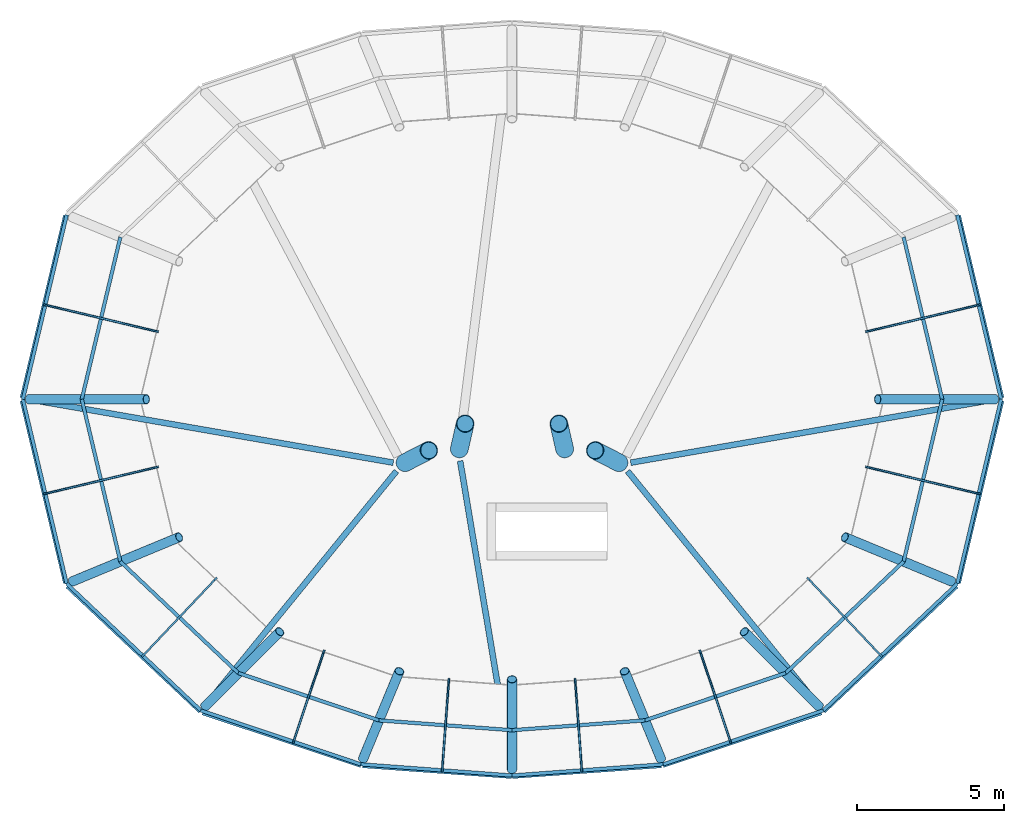
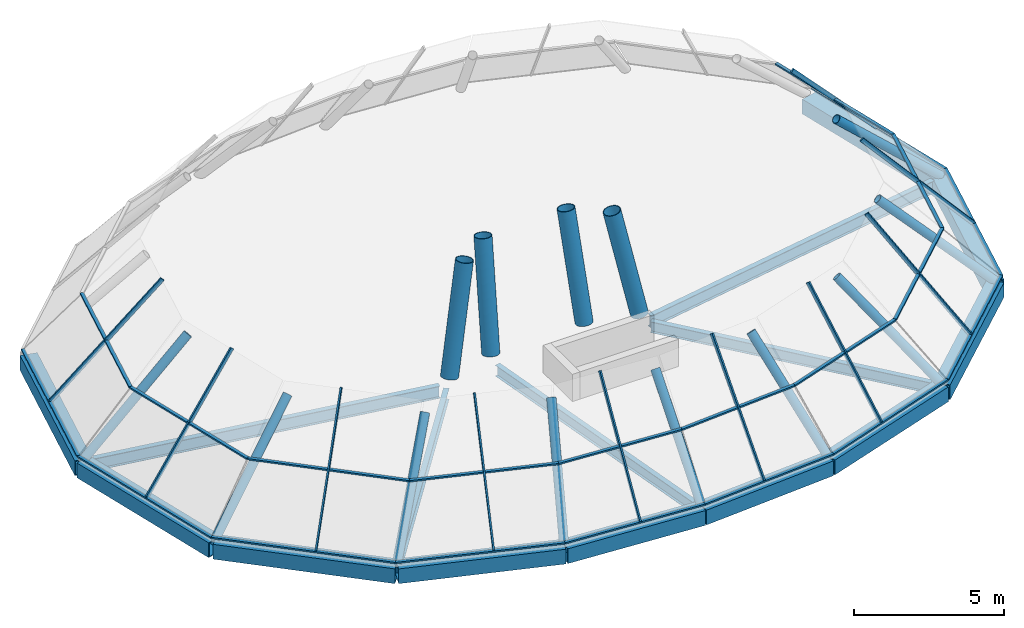
# One storey, part 1 of 4: 43 members, 15 beams, 10 elements without a shape of their own.
"""IFC4 building model written with IfcOpenShell, lengths in metres."""

from ifc_helpers import new_model, si_unit, direction, frame, origin, origin_2d, place, context, subcontext, project, spatial, rectangle, hollow_rectangle, hollow_circle, i_section, extrude, material, material_profile, profile_set, type_object, element, aggregate, save


model = new_model("IFC4")

# Units and contexts
model_context = context("Model", 3, precision=1e-05, world=origin(), true_north=direction((0.0, 1.0)))
body_context = subcontext(model_context, "Body", "Model", "MODEL_VIEW")
ifc_project = project(units=[si_unit("LENGTHUNIT", "METRE"), si_unit("AREAUNIT", "SQUARE_METRE"), si_unit("VOLUMEUNIT", "CUBIC_METRE"), si_unit("PLANEANGLEUNIT", "RADIAN"), si_unit("MASSUNIT", "GRAM", prefix="KILO")], contexts=[model_context])

# Site, building, storey
site_placement = place(None, origin())
site = spatial("IfcSite", under=ifc_project, at=site_placement, CompositionType="ELEMENT")
building_placement = place(site_placement, origin())
building = spatial("IfcBuilding", under=site, at=building_placement, Name="Rubra Terraces Tower", CompositionType="ELEMENT")
storey_placement = place(building_placement, frame((0.0, 0.0, 324.60009765625)))
storey = spatial("IfcBuildingStorey", under=building, at=storey_placement, Name="L80", CompositionType="ELEMENT", Elevation=324.60009765625)

# Members
ifc_material_1 = material(Name="Steel Q355B", Category="steel")
ifc_material_profile_1 = material_profile(ifc_material_1, hollow_circle(Radius=0.16259765625, WallThickness=0.013916015625, at=origin_2d()), Name="CHS 325x14")
ifc_profile_set_1 = profile_set([ifc_material_profile_1], Name="Steel Q355B")
member_type_1 = type_object("IfcMemberType", Name="CROWN POST CHS 325x14", PredefinedType="POST", material=ifc_profile_set_1)
for number, where, z_axis, x_axis, name in (
    (1, (16.46240234375, 0.0, -0.2001953125), (-0.734926944173, 0.0, 0.678146287116), (0.0, -1.0, 0.0), "CROWN POST"),
    (2, (-16.46240234375, 0.0, -0.2001953125), (0.734926944173, 0.0, 0.678146287116), (0.0, 1.0, 0.0), "CROWN POST"),
):
    element("IfcMember", number, at=place(storey_placement, frame(where, z_axis=z_axis, x_axis=x_axis)), inside=storey, type_object=member_type_1, Name=name, PredefinedType="POST", context=body_context, shape_type="SweptSolid", body=[
        extrude(hollow_circle(Radius=0.16259765625, WallThickness=0.013916015625, at=origin_2d()), origin(), (0.0, 0.0, 1.0), 5.456298828125),
    ])
member_1_placement = place(storey_placement, frame((-14.985107421875, -6.207275390625, -0.2001953125), z_axis=(0.674397942908, 0.279292929011, 0.683507772015), x_axis=(-0.382622806555, 0.923904642214, 0.0)))
element("IfcMember", 3, at=member_1_placement, inside=storey, type_object=member_type_1, Name="CROWN POST", PredefinedType="POST", context=body_context, shape_type="SweptSolid", body=[
    extrude(hollow_circle(Radius=0.16259765625, WallThickness=0.013916015625, at=origin_2d()), origin(), (0.0, 0.0, 1.0), 5.41357421875),
])
member_2_placement = place(storey_placement, frame((-10.4619140625, -10.4619140625, -0.2001953125), z_axis=(0.493728488521, 0.493728488521, 0.715866160148), x_axis=(-0.707106781187, 0.707106781187, 0.0)))
element("IfcMember", 4, at=member_2_placement, inside=storey, type_object=member_type_1, Name="CROWN POST", PredefinedType="POST", context=body_context, shape_type="SweptSolid", body=[
    extrude(hollow_circle(Radius=0.16259765625, WallThickness=0.013916015625, at=origin_2d()), origin(), (0.0, 0.0, 1.0), 5.1689453125),
])
member_3_placement = place(storey_placement, frame((-5.075439453125, -12.252197265625, -0.2001953125), z_axis=(0.252126105765, 0.608597372845, 0.7523574048), x_axis=(-0.923859770062, 0.382731139653, 0.0)))
element("IfcMember", 5, at=member_3_placement, inside=storey, type_object=member_type_1, Name="CROWN POST", PredefinedType="POST", context=body_context, shape_type="SweptSolid", body=[
    extrude(hollow_circle(Radius=0.16259765625, WallThickness=0.013916015625, at=origin_2d()), origin(), (0.0, 0.0, 1.0), 4.918212890625),
])
member_4_placement = place(storey_placement, frame((0.0, -12.618408203125, -0.2001953125), z_axis=(0.0, 0.640244221829, 0.768171423847), x_axis=(-1.0, 0.0, 0.0)))
element("IfcMember", 6, at=member_4_placement, inside=storey, type_object=member_type_1, Name="CROWN POST", PredefinedType="POST", context=body_context, shape_type="SweptSolid", body=[
    extrude(hollow_circle(Radius=0.16259765625, WallThickness=0.013916015625, at=origin_2d()), origin(), (0.0, 0.0, 1.0), 4.81689453125),
])
member_5_placement = place(storey_placement, frame((5.075439453125, -12.252197265625, -0.2001953125), z_axis=(-0.252126105765, 0.608597372845, 0.7523574048), x_axis=(-0.923859770062, -0.382731139653, 0.0)))
element("IfcMember", 7, at=member_5_placement, inside=storey, type_object=member_type_1, Name="CROWN POST", PredefinedType="POST", context=body_context, shape_type="SweptSolid", body=[
    extrude(hollow_circle(Radius=0.16259765625, WallThickness=0.013916015625, at=origin_2d()), origin(), (0.0, 0.0, 1.0), 4.918212890625),
])
member_6_placement = place(storey_placement, frame((10.4619140625, -10.4619140625, -0.2001953125), z_axis=(-0.493728488521, 0.493728488521, 0.715866160148), x_axis=(-0.707106781187, -0.707106781187, 0.0)))
element("IfcMember", 8, at=member_6_placement, inside=storey, type_object=member_type_1, Name="CROWN POST", PredefinedType="POST", context=body_context, shape_type="SweptSolid", body=[
    extrude(hollow_circle(Radius=0.16259765625, WallThickness=0.013916015625, at=origin_2d()), origin(), (0.0, 0.0, 1.0), 5.1689453125),
])
member_7_placement = place(storey_placement, frame((14.985107421875, -6.207275390625, -0.2001953125), z_axis=(-0.674397942908, 0.279292929011, 0.683507772015), x_axis=(-0.382622806555, -0.923904642214, 0.0)))
element("IfcMember", 9, at=member_7_placement, inside=storey, type_object=member_type_1, Name="CROWN POST", PredefinedType="POST", context=body_context, shape_type="SweptSolid", body=[
    extrude(hollow_circle(Radius=0.16259765625, WallThickness=0.013916015625, at=origin_2d()), origin(), (0.0, 0.0, 1.0), 5.41357421875),
])

# Beams
ifc_material_profile_2 = material_profile(ifc_material_1, hollow_rectangle(XDim=0.60009765625, YDim=0.60009765625, WallThickness=0.030029296875, at=origin_2d()), Name="BOX 600x600x30")
ifc_profile_set_2 = profile_set([ifc_material_profile_2], Name="Steel Q355B")
beam_type_1 = type_object("IfcBeamType", Name="CROWN RING GIRDER BOX 600x600x30", PredefinedType="BEAM", material=ifc_profile_set_2)
for number, where, z_axis, x_axis, name in (
    (10, (16.462890625, 0.0, -0.5), (-0.231608457069, 0.972809088472, 0.0), (-0.972809088472, -0.231608457069, 0.0), "CROWN RING GIRDER"),
    (11, (-14.985107421875, 6.20703125, -0.5), (-0.231608457069, -0.972809088472, 0.0), (0.972809088472, -0.231608457069, 0.0), "CROWN RING GIRDER"),
    (12, (-16.462890625, 0.0, -0.5), (0.231608457069, -0.972809088472, 0.0), (0.972809088472, 0.231608457069, 0.0), "CROWN RING GIRDER"),
):
    element("IfcBeam", number, at=place(storey_placement, frame(where, z_axis=z_axis, x_axis=x_axis)), inside=storey, type_object=beam_type_1, Name=name, PredefinedType="BEAM", context=body_context, shape_type="SweptSolid", body=[
        extrude(hollow_rectangle(XDim=0.60009765625, YDim=0.60009765625, WallThickness=0.030029296875, at=origin_2d()), origin(), (0.0, 0.0, 1.0), 6.380615234375),
    ])
beam_1_placement = place(storey_placement, frame((-14.985107421875, -6.20703125, -0.5), z_axis=(0.728380020829, -0.685173368759, 0.0), x_axis=(0.685173368759, 0.728380020829, 0.0)))
element("IfcBeam", 13, at=beam_1_placement, inside=storey, type_object=beam_type_1, Name="CROWN RING GIRDER", PredefinedType="BEAM", context=body_context, shape_type="SweptSolid", body=[
    extrude(hollow_rectangle(XDim=0.60009765625, YDim=0.60009765625, WallThickness=0.030029296875, at=origin_2d()), origin(), (0.0, 0.0, 1.0), 6.2099609375),
])
beam_2_placement = place(storey_placement, frame((-10.4619140625, -10.4619140625, -0.5), z_axis=(0.948979638059, -0.315337353558, 0.0), x_axis=(0.315337353558, 0.948979638059, 0.0)))
element("IfcBeam", 14, at=beam_2_placement, inside=storey, type_object=beam_type_1, Name="CROWN RING GIRDER", PredefinedType="BEAM", context=body_context, shape_type="SweptSolid", body=[
    extrude(hollow_rectangle(XDim=0.60009765625, YDim=0.60009765625, WallThickness=0.030029296875, at=origin_2d()), origin(), (0.0, 0.0, 1.0), 5.676513671875),
])
for number, where, z_axis, x_axis, name in (
    (15, (-5.074951171875, -12.251953125, -0.5), (0.99740999949, -0.071925606833, 0.0), (0.071925606833, 0.99740999949, 0.0), "CROWN RING GIRDER"),
    (16, (0.0, -12.617919921875, -0.5), (0.99740999949, 0.071925606833, 0.0), (-0.071925606833, 0.99740999949, 0.0), "CROWN RING GIRDER"),
):
    element("IfcBeam", number, at=place(storey_placement, frame(where, z_axis=z_axis, x_axis=x_axis)), inside=storey, type_object=beam_type_1, Name=name, PredefinedType="BEAM", context=body_context, shape_type="SweptSolid", body=[
        extrude(hollow_rectangle(XDim=0.60009765625, YDim=0.60009765625, WallThickness=0.030029296875, at=origin_2d()), origin(), (0.0, 0.0, 1.0), 5.088134765625),
    ])
beam_3_placement = place(storey_placement, frame((5.074951171875, -12.251953125, -0.5), z_axis=(0.948979638059, 0.315337353558, 0.0), x_axis=(-0.315337353558, 0.948979638059, 0.0)))
element("IfcBeam", 17, at=beam_3_placement, inside=storey, type_object=beam_type_1, Name="CROWN RING GIRDER", PredefinedType="BEAM", context=body_context, shape_type="SweptSolid", body=[
    extrude(hollow_rectangle(XDim=0.60009765625, YDim=0.60009765625, WallThickness=0.030029296875, at=origin_2d()), origin(), (0.0, 0.0, 1.0), 5.676513671875),
])
beam_4_placement = place(storey_placement, frame((10.4619140625, -10.4619140625, -0.5), z_axis=(0.728380020829, 0.685173368759, 0.0), x_axis=(-0.685173368759, 0.728380020829, 0.0)))
element("IfcBeam", 18, at=beam_4_placement, inside=storey, type_object=beam_type_1, Name="CROWN RING GIRDER", PredefinedType="BEAM", context=body_context, shape_type="SweptSolid", body=[
    extrude(hollow_rectangle(XDim=0.60009765625, YDim=0.60009765625, WallThickness=0.030029296875, at=origin_2d()), origin(), (0.0, 0.0, 1.0), 6.2099609375),
])
beam_5_placement = place(storey_placement, frame((14.985107421875, -6.20703125, -0.5), z_axis=(0.231608457069, 0.972809088472, 0.0), x_axis=(-0.972809088472, 0.231608457069, 0.0)))
element("IfcBeam", 19, at=beam_5_placement, inside=storey, type_object=beam_type_1, Name="CROWN RING GIRDER", PredefinedType="BEAM", context=body_context, shape_type="SweptSolid", body=[
    extrude(hollow_rectangle(XDim=0.60009765625, YDim=0.60009765625, WallThickness=0.030029296875, at=origin_2d()), origin(), (0.0, 0.0, 1.0), 6.380615234375),
])

# Curtain wall, member
ifc_material_2 = material(Name="Aluminium and glass", Category="aluminium")
curtain_wall_type = type_object("IfcCurtainWallType", Name="Curtain wall Crown glazing", PredefinedType="NOTDEFINED", material=ifc_material_2)
curtain_wall_1_placement = place(storey_placement, origin())
curtain_wall_1 = element("IfcCurtainWall", 20, at=curtain_wall_1_placement, inside=storey, type_object=curtain_wall_type, Name="Crown glazing L80 facet 1", PredefinedType="NOTDEFINED")
ifc_material_3 = material(Name="Aluminium, anodised dark grey", Category="aluminium")
ifc_material_profile_3 = material_profile(ifc_material_3, rectangle(XDim=0.06005859375, YDim=0.159912109375, at=origin_2d()), Name="AL 60x160")
ifc_profile_set_3 = profile_set([ifc_material_profile_3], Name="Aluminium, anodised dark grey")
member_type_2 = type_object("IfcMemberType", Name="Crown glazing mullion 60 x 160", PredefinedType="MULLION", material=ifc_profile_set_3)
member_8_placement = place(storey_placement, frame((15.8916015625, 3.21337890625, 0.0), z_axis=(-0.662173755856, -0.157281173165, 0.732658549137), x_axis=(0.231093162919, -0.972931626607, 0.0)))
member_8 = element("IfcMember", 21, at=member_8_placement, type_object=member_type_2, Name="Crown glazing L80 facet 1 mullion 1", PredefinedType="MULLION", context=body_context, shape_type="SweptSolid", body=[
    extrude(rectangle(XDim=0.06005859375, YDim=0.159912109375, at=origin_2d()), origin(), (0.0, 0.0, 1.0), 5.732421875),
])

curtain_wall_2_placement = place(storey_placement, origin())
curtain_wall_2 = element("IfcCurtainWall", 22, at=curtain_wall_2_placement, inside=storey, type_object=curtain_wall_type, Name="Crown glazing L80 facet 8", PredefinedType="NOTDEFINED")
member_9_placement = place(storey_placement, frame((-15.8916015625, 3.21337890625, 0.0), z_axis=(0.662173755856, -0.157281173165, 0.732658549137), x_axis=(0.231093162919, 0.972931626607, 0.0)))
member_9 = element("IfcMember", 23, at=member_9_placement, type_object=member_type_2, Name="Crown glazing L80 facet 8 mullion 1", PredefinedType="MULLION", context=body_context, shape_type="SweptSolid", body=[
    extrude(rectangle(XDim=0.06005859375, YDim=0.159912109375, at=origin_2d()), origin(), (0.0, 0.0, 1.0), 5.732421875),
])

curtain_wall_3_placement = place(storey_placement, origin())
curtain_wall_3 = element("IfcCurtainWall", 24, at=curtain_wall_3_placement, inside=storey, type_object=curtain_wall_type, Name="Crown glazing L80 facet 9", PredefinedType="NOTDEFINED")
member_10_placement = place(storey_placement, frame((-15.8916015625, -3.21337890625, 0.0), z_axis=(0.662173755856, 0.157281173165, 0.732658549137), x_axis=(-0.231093162919, 0.972931626607, 0.0)))
member_10 = element("IfcMember", 25, at=member_10_placement, type_object=member_type_2, Name="Crown glazing L80 facet 9 mullion 1", PredefinedType="MULLION", context=body_context, shape_type="SweptSolid", body=[
    extrude(rectangle(XDim=0.06005859375, YDim=0.159912109375, at=origin_2d()), origin(), (0.0, 0.0, 1.0), 5.732421875),
])

curtain_wall_4_placement = place(storey_placement, origin())
curtain_wall_4 = element("IfcCurtainWall", 26, at=curtain_wall_4_placement, inside=storey, type_object=curtain_wall_type, Name="Crown glazing L80 facet 10", PredefinedType="NOTDEFINED")
member_11_placement = place(storey_placement, frame((-12.569091796875, -8.73388671875, 0.0), z_axis=(0.447713431998, 0.473377690584, 0.758594914869), x_axis=(-0.726526856678, 0.687138069478, 0.0)))
member_11 = element("IfcMember", 27, at=member_11_placement, type_object=member_type_2, Name="Crown glazing L80 facet 10 mullion 1", PredefinedType="MULLION", context=body_context, shape_type="SweptSolid", body=[
    extrude(rectangle(XDim=0.06005859375, YDim=0.159912109375, at=origin_2d()), origin(), (0.0, 0.0, 1.0), 5.536376953125),
])

curtain_wall_5_placement = place(storey_placement, origin())
curtain_wall_5 = element("IfcCurtainWall", 28, at=curtain_wall_5_placement, inside=storey, type_object=curtain_wall_type, Name="Crown glazing L80 facet 11", PredefinedType="NOTDEFINED")
member_12_placement = place(storey_placement, frame((-7.4404296875, -11.65966796875, 0.0), z_axis=(0.194355754949, 0.578092052347, 0.79248685764), x_axis=(-0.947864384433, 0.318673985013, 0.0)))
member_12 = element("IfcMember", 29, at=member_12_placement, type_object=member_type_2, Name="Crown glazing L80 facet 11 mullion 1", PredefinedType="MULLION", context=body_context, shape_type="SweptSolid", body=[
    extrude(rectangle(XDim=0.06005859375, YDim=0.159912109375, at=origin_2d()), origin(), (0.0, 0.0, 1.0), 5.2998046875),
])

curtain_wall_6_placement = place(storey_placement, origin())
curtain_wall_6 = element("IfcCurtainWall", 30, at=curtain_wall_6_placement, inside=storey, type_object=curtain_wall_type, Name="Crown glazing L80 facet 12", PredefinedType="NOTDEFINED")
member_13_placement = place(storey_placement, frame((-2.3779296875, -12.635009765625, 0.0), z_axis=(0.043614060364, 0.589258783311, 0.806766323064), x_axis=(-0.997272083932, 0.07381321433, 0.0)))
member_13 = element("IfcMember", 31, at=member_13_placement, type_object=member_type_2, Name="Crown glazing L80 facet 12 mullion 1", PredefinedType="MULLION", context=body_context, shape_type="SweptSolid", body=[
    extrude(rectangle(XDim=0.06005859375, YDim=0.159912109375, at=origin_2d()), origin(), (0.0, 0.0, 1.0), 5.205810546875),
])

curtain_wall_7_placement = place(storey_placement, origin())
curtain_wall_7 = element("IfcCurtainWall", 32, at=curtain_wall_7_placement, inside=storey, type_object=curtain_wall_type, Name="Crown glazing L80 facet 13", PredefinedType="NOTDEFINED")
member_14_placement = place(storey_placement, frame((2.3779296875, -12.635009765625, 0.0), z_axis=(-0.043614060364, 0.589258783311, 0.806766323064), x_axis=(-0.997272083932, -0.07381321433, 0.0)))
member_14 = element("IfcMember", 33, at=member_14_placement, type_object=member_type_2, Name="Crown glazing L80 facet 13 mullion 1", PredefinedType="MULLION", context=body_context, shape_type="SweptSolid", body=[
    extrude(rectangle(XDim=0.06005859375, YDim=0.159912109375, at=origin_2d()), origin(), (0.0, 0.0, 1.0), 5.205810546875),
])

curtain_wall_8_placement = place(storey_placement, origin())
curtain_wall_8 = element("IfcCurtainWall", 34, at=curtain_wall_8_placement, inside=storey, type_object=curtain_wall_type, Name="Crown glazing L80 facet 14", PredefinedType="NOTDEFINED")
member_15_placement = place(storey_placement, frame((7.4404296875, -11.65966796875, 0.0), z_axis=(-0.194355754949, 0.578092052347, 0.79248685764), x_axis=(-0.947864384433, -0.318673985013, 0.0)))
member_15 = element("IfcMember", 35, at=member_15_placement, type_object=member_type_2, Name="Crown glazing L80 facet 14 mullion 1", PredefinedType="MULLION", context=body_context, shape_type="SweptSolid", body=[
    extrude(rectangle(XDim=0.06005859375, YDim=0.159912109375, at=origin_2d()), origin(), (0.0, 0.0, 1.0), 5.2998046875),
])

curtain_wall_9_placement = place(storey_placement, origin())
curtain_wall_9 = element("IfcCurtainWall", 36, at=curtain_wall_9_placement, inside=storey, type_object=curtain_wall_type, Name="Crown glazing L80 facet 15", PredefinedType="NOTDEFINED")
member_16_placement = place(storey_placement, frame((12.569091796875, -8.73388671875, 0.0), z_axis=(-0.447713431998, 0.473377690584, 0.758594914869), x_axis=(-0.726526856678, -0.687138069478, 0.0)))
member_16 = element("IfcMember", 37, at=member_16_placement, type_object=member_type_2, Name="Crown glazing L80 facet 15 mullion 1", PredefinedType="MULLION", context=body_context, shape_type="SweptSolid", body=[
    extrude(rectangle(XDim=0.06005859375, YDim=0.159912109375, at=origin_2d()), origin(), (0.0, 0.0, 1.0), 5.536376953125),
])

curtain_wall_10_placement = place(storey_placement, origin())
curtain_wall_10 = element("IfcCurtainWall", 38, at=curtain_wall_10_placement, inside=storey, type_object=curtain_wall_type, Name="Crown glazing L80 facet 16", PredefinedType="NOTDEFINED")
member_17_placement = place(storey_placement, frame((15.8916015625, -3.21337890625, 0.0), z_axis=(-0.662173755856, 0.157281173165, 0.732658549137), x_axis=(-0.231093162919, -0.972931626607, 0.0)))
member_17 = element("IfcMember", 39, at=member_17_placement, type_object=member_type_2, Name="Crown glazing L80 facet 16 mullion 1", PredefinedType="MULLION", context=body_context, shape_type="SweptSolid", body=[
    extrude(rectangle(XDim=0.06005859375, YDim=0.159912109375, at=origin_2d()), origin(), (0.0, 0.0, 1.0), 5.732421875),
])

# Member
ifc_material_profile_4 = material_profile(ifc_material_3, rectangle(XDim=0.1201171875, YDim=0.06005859375, at=origin_2d()), Name="AL 120x60")
ifc_profile_set_4 = profile_set([ifc_material_profile_4], Name="Aluminium, anodised dark grey")
member_type_3 = type_object("IfcMemberType", Name="Crown glazing transom 120 x 60", PredefinedType="USERDEFINED", material=ifc_profile_set_4)
member_18_placement = place(storey_placement, frame((16.655029296875, 0.0, 0.0), z_axis=(-0.231102411682, 0.972929429771, 0.0), x_axis=(-0.972929429771, -0.231102411682, 0.0)))
member_18 = element("IfcMember", 40, at=member_18_placement, type_object=member_type_3, Name="Crown glazing L80 facet 1 transom 1", ObjectType="TRANSOM", PredefinedType="USERDEFINED", context=body_context, shape_type="SweptSolid", body=[
    extrude(rectangle(XDim=0.1201171875, YDim=0.06005859375, at=origin_2d()), origin(), (0.0, 0.0, 1.0), 6.455810546875),
])

member_19_placement = place(storey_placement, frame((14.64990234375, 0.0, 2.099853515625), z_axis=(-0.231128388876, 0.972923258976, 0.0), x_axis=(-0.972923258976, -0.231128388876, 0.0)))
member_19 = element("IfcMember", 41, at=member_19_placement, type_object=member_type_3, Name="Crown glazing L80 facet 1 transom 2", ObjectType="TRANSOM", PredefinedType="USERDEFINED", context=body_context, shape_type="SweptSolid", body=[
    extrude(rectangle(XDim=0.1201171875, YDim=0.06005859375, at=origin_2d()), origin(), (0.0, 0.0, 1.0), 5.6787109375),
])

aggregate(curtain_wall_1, [member_8, member_18, member_19])

member_20_placement = place(storey_placement, frame((-15.1630859375, 6.281005859375, 0.0), z_axis=(-0.231102411682, -0.972929429771, 0.0), x_axis=(0.972929429771, -0.231102411682, 0.0)))
member_20 = element("IfcMember", 42, at=member_20_placement, type_object=member_type_3, Name="Crown glazing L80 facet 8 transom 1", ObjectType="TRANSOM", PredefinedType="USERDEFINED", context=body_context, shape_type="SweptSolid", body=[
    extrude(rectangle(XDim=0.1201171875, YDim=0.06005859375, at=origin_2d()), origin(), (0.0, 0.0, 1.0), 6.455810546875),
])

member_21_placement = place(storey_placement, frame((-13.33740234375, 5.52490234375, 2.099853515625), z_axis=(-0.231128388876, -0.972923258976, 0.0), x_axis=(0.972923258976, -0.231128388876, 0.0)))
member_21 = element("IfcMember", 43, at=member_21_placement, type_object=member_type_3, Name="Crown glazing L80 facet 8 transom 2", ObjectType="TRANSOM", PredefinedType="USERDEFINED", context=body_context, shape_type="SweptSolid", body=[
    extrude(rectangle(XDim=0.1201171875, YDim=0.06005859375, at=origin_2d()), origin(), (0.0, 0.0, 1.0), 5.6787109375),
])

aggregate(curtain_wall_2, [member_9, member_20, member_21])

member_22_placement = place(storey_placement, frame((-16.655029296875, 0.0, 0.0), z_axis=(0.231102411682, -0.972929429771, 0.0), x_axis=(0.972929429771, 0.231102411682, 0.0)))
member_22 = element("IfcMember", 44, at=member_22_placement, type_object=member_type_3, Name="Crown glazing L80 facet 9 transom 1", ObjectType="TRANSOM", PredefinedType="USERDEFINED", context=body_context, shape_type="SweptSolid", body=[
    extrude(rectangle(XDim=0.1201171875, YDim=0.06005859375, at=origin_2d()), origin(), (0.0, 0.0, 1.0), 6.455810546875),
])

member_23_placement = place(storey_placement, frame((-14.64990234375, 0.0, 2.099853515625), z_axis=(0.231128388876, -0.972923258976, 0.0), x_axis=(0.972923258976, 0.231128388876, 0.0)))
member_23 = element("IfcMember", 45, at=member_23_placement, type_object=member_type_3, Name="Crown glazing L80 facet 9 transom 2", ObjectType="TRANSOM", PredefinedType="USERDEFINED", context=body_context, shape_type="SweptSolid", body=[
    extrude(rectangle(XDim=0.1201171875, YDim=0.06005859375, at=origin_2d()), origin(), (0.0, 0.0, 1.0), 5.6787109375),
])

aggregate(curtain_wall_3, [member_10, member_22, member_23])

member_24_placement = place(storey_placement, frame((-15.1630859375, -6.281005859375, 0.0), z_axis=(0.726589515894, -0.687071812399, 0.0), x_axis=(0.687071812399, 0.726589515894, 0.0)))
member_24 = element("IfcMember", 46, at=member_24_placement, type_object=member_type_3, Name="Crown glazing L80 facet 10 transom 1", ObjectType="TRANSOM", PredefinedType="USERDEFINED", context=body_context, shape_type="SweptSolid", body=[
    extrude(rectangle(XDim=0.1201171875, YDim=0.06005859375, at=origin_2d()), origin(), (0.0, 0.0, 1.0), 6.282958984375),
])

member_25_placement = place(storey_placement, frame((-13.33740234375, -5.52490234375, 2.099853515625), z_axis=(0.726578083676, -0.687083901952, 0.0), x_axis=(0.687083901952, 0.726578083676, 0.0)))
member_25 = element("IfcMember", 47, at=member_25_placement, type_object=member_type_3, Name="Crown glazing L80 facet 10 transom 2", ObjectType="TRANSOM", PredefinedType="USERDEFINED", context=body_context, shape_type="SweptSolid", body=[
    extrude(rectangle(XDim=0.1201171875, YDim=0.06005859375, at=origin_2d()), origin(), (0.0, 0.0, 1.0), 5.5263671875),
])

aggregate(curtain_wall_4, [member_11, member_24, member_25])

member_26_placement = place(storey_placement, frame((-10.597900390625, -10.597900390625, 0.0), z_axis=(0.947860464066, -0.31868564552, 0.0), x_axis=(0.31868564552, 0.947860464066, 0.0)))
member_26 = element("IfcMember", 48, at=member_26_placement, type_object=member_type_3, Name="Crown glazing L80 facet 11 transom 1", ObjectType="TRANSOM", PredefinedType="USERDEFINED", context=body_context, shape_type="SweptSolid", body=[
    extrude(rectangle(XDim=0.1201171875, YDim=0.06005859375, at=origin_2d()), origin(), (0.0, 0.0, 1.0), 5.748779296875),
])

member_27_placement = place(storey_placement, frame((-9.322021484375, -9.322021484375, 2.099853515625), z_axis=(0.947854458081, -0.318703508445, 0.0), x_axis=(0.318703508445, 0.947854458081, 0.0)))
member_27 = element("IfcMember", 49, at=member_27_placement, type_object=member_type_3, Name="Crown glazing L80 facet 11 transom 2", ObjectType="TRANSOM", PredefinedType="USERDEFINED", context=body_context, shape_type="SweptSolid", body=[
    extrude(rectangle(XDim=0.1201171875, YDim=0.06005859375, at=origin_2d()), origin(), (0.0, 0.0, 1.0), 5.056640625),
])

aggregate(curtain_wall_5, [member_12, member_26, member_27])

member_28_placement = place(storey_placement, frame((-5.14892578125, -12.429931640625, 0.0), z_axis=(0.997272010519, -0.073814206184, 0.0), x_axis=(0.073814206184, 0.997272010519, 0.0)))
member_28 = element("IfcMember", 50, at=member_28_placement, type_object=member_type_3, Name="Crown glazing L80 facet 12 transom 1", ObjectType="TRANSOM", PredefinedType="USERDEFINED", context=body_context, shape_type="SweptSolid", body=[
    extrude(rectangle(XDim=0.1201171875, YDim=0.06005859375, at=origin_2d()), origin(), (0.0, 0.0, 1.0), 5.1630859375),
])

member_29_placement = place(storey_placement, frame((-4.529052734375, -10.93359375, 2.099853515625), z_axis=(0.997272299664, -0.073810299576, 0.0), x_axis=(0.073810299576, 0.997272299664, 0.0)))
member_29 = element("IfcMember", 51, at=member_29_placement, type_object=member_type_3, Name="Crown glazing L80 facet 12 transom 2", ObjectType="TRANSOM", PredefinedType="USERDEFINED", context=body_context, shape_type="SweptSolid", body=[
    extrude(rectangle(XDim=0.1201171875, YDim=0.06005859375, at=origin_2d()), origin(), (0.0, 0.0, 1.0), 4.54150390625),
])

aggregate(curtain_wall_6, [member_13, member_28, member_29])

member_30_placement = place(storey_placement, frame((0.0, -12.81103515625, 0.0), z_axis=(0.997272010519, 0.073814206184, 0.0), x_axis=(-0.073814206184, 0.997272010519, 0.0)))
member_30 = element("IfcMember", 52, at=member_30_placement, type_object=member_type_3, Name="Crown glazing L80 facet 13 transom 1", ObjectType="TRANSOM", PredefinedType="USERDEFINED", context=body_context, shape_type="SweptSolid", body=[
    extrude(rectangle(XDim=0.1201171875, YDim=0.06005859375, at=origin_2d()), origin(), (0.0, 0.0, 1.0), 5.1630859375),
])

member_31_placement = place(storey_placement, frame((0.0, -11.268798828125, 2.099853515625), z_axis=(0.997272299664, 0.073810299576, 0.0), x_axis=(-0.073810299576, 0.997272299664, 0.0)))
member_31 = element("IfcMember", 53, at=member_31_placement, type_object=member_type_3, Name="Crown glazing L80 facet 13 transom 2", ObjectType="TRANSOM", PredefinedType="USERDEFINED", context=body_context, shape_type="SweptSolid", body=[
    extrude(rectangle(XDim=0.1201171875, YDim=0.06005859375, at=origin_2d()), origin(), (0.0, 0.0, 1.0), 4.54150390625),
])

aggregate(curtain_wall_7, [member_14, member_30, member_31])

member_32_placement = place(storey_placement, frame((5.14892578125, -12.429931640625, 0.0), z_axis=(0.947860464066, 0.31868564552, 0.0), x_axis=(-0.31868564552, 0.947860464066, 0.0)))
member_32 = element("IfcMember", 54, at=member_32_placement, type_object=member_type_3, Name="Crown glazing L80 facet 14 transom 1", ObjectType="TRANSOM", PredefinedType="USERDEFINED", context=body_context, shape_type="SweptSolid", body=[
    extrude(rectangle(XDim=0.1201171875, YDim=0.06005859375, at=origin_2d()), origin(), (0.0, 0.0, 1.0), 5.748779296875),
])

member_33_placement = place(storey_placement, frame((4.529052734375, -10.93359375, 2.099853515625), z_axis=(0.947854458081, 0.318703508445, 0.0), x_axis=(-0.318703508445, 0.947854458081, 0.0)))
member_33 = element("IfcMember", 55, at=member_33_placement, type_object=member_type_3, Name="Crown glazing L80 facet 14 transom 2", ObjectType="TRANSOM", PredefinedType="USERDEFINED", context=body_context, shape_type="SweptSolid", body=[
    extrude(rectangle(XDim=0.1201171875, YDim=0.06005859375, at=origin_2d()), origin(), (0.0, 0.0, 1.0), 5.056640625),
])

aggregate(curtain_wall_8, [member_15, member_32, member_33])

member_34_placement = place(storey_placement, frame((10.597900390625, -10.597900390625, 0.0), z_axis=(0.726589515894, 0.687071812399, 0.0), x_axis=(-0.687071812399, 0.726589515894, 0.0)))
member_34 = element("IfcMember", 56, at=member_34_placement, type_object=member_type_3, Name="Crown glazing L80 facet 15 transom 1", ObjectType="TRANSOM", PredefinedType="USERDEFINED", context=body_context, shape_type="SweptSolid", body=[
    extrude(rectangle(XDim=0.1201171875, YDim=0.06005859375, at=origin_2d()), origin(), (0.0, 0.0, 1.0), 6.282958984375),
])

member_35_placement = place(storey_placement, frame((9.322021484375, -9.322021484375, 2.099853515625), z_axis=(0.726578083676, 0.687083901952, 0.0), x_axis=(-0.687083901952, 0.726578083676, 0.0)))
member_35 = element("IfcMember", 57, at=member_35_placement, type_object=member_type_3, Name="Crown glazing L80 facet 15 transom 2", ObjectType="TRANSOM", PredefinedType="USERDEFINED", context=body_context, shape_type="SweptSolid", body=[
    extrude(rectangle(XDim=0.1201171875, YDim=0.06005859375, at=origin_2d()), origin(), (0.0, 0.0, 1.0), 5.5263671875),
])

aggregate(curtain_wall_9, [member_16, member_34, member_35])

member_36_placement = place(storey_placement, frame((15.1630859375, -6.281005859375, 0.0), z_axis=(0.231102411682, 0.972929429771, 0.0), x_axis=(-0.972929429771, 0.231102411682, 0.0)))
member_36 = element("IfcMember", 58, at=member_36_placement, type_object=member_type_3, Name="Crown glazing L80 facet 16 transom 1", ObjectType="TRANSOM", PredefinedType="USERDEFINED", context=body_context, shape_type="SweptSolid", body=[
    extrude(rectangle(XDim=0.1201171875, YDim=0.06005859375, at=origin_2d()), origin(), (0.0, 0.0, 1.0), 6.455810546875),
])

member_37_placement = place(storey_placement, frame((13.33740234375, -5.52490234375, 2.099853515625), z_axis=(0.231128388876, 0.972923258976, 0.0), x_axis=(-0.972923258976, 0.231128388876, 0.0)))
member_37 = element("IfcMember", 59, at=member_37_placement, type_object=member_type_3, Name="Crown glazing L80 facet 16 transom 2", ObjectType="TRANSOM", PredefinedType="USERDEFINED", context=body_context, shape_type="SweptSolid", body=[
    extrude(rectangle(XDim=0.1201171875, YDim=0.06005859375, at=origin_2d()), origin(), (0.0, 0.0, 1.0), 5.6787109375),
])

aggregate(curtain_wall_10, [member_17, member_36, member_37])

# Beams
ifc_material_profile_5 = material_profile(ifc_material_1, i_section(OverallWidth=0.198974609375, OverallDepth=0.446044921875, WebThickness=0.008056640625, FlangeThickness=0.011962890625, at=origin_2d()), Name="HN 446x199x8x12")
ifc_profile_set_5 = profile_set([ifc_material_profile_5], Name="Steel Q355B")
beam_type_2 = type_object("IfcBeamType", Name="FLOOR BEAM HN 446x199x8x12", PredefinedType="BEAM", material=ifc_profile_set_5)
beam_6_placement = place(storey_placement, frame((-10.240966796875, -10.18994140625, -0.423095703125), z_axis=(0.631425293073, 0.775436715192, 0.0), x_axis=(-0.775436715192, 0.631425293073, 0.0)))
element("IfcBeam", 60, at=beam_6_placement, inside=storey, type_object=beam_type_2, Name="beam-L80-crown-floor-11", PredefinedType="BEAM", context=body_context, shape_type="SweptSolid", body=[
    extrude(i_section(OverallWidth=0.198974609375, OverallDepth=0.446044921875, WebThickness=0.008056640625, FlangeThickness=0.011962890625, at=origin_2d()), origin(), (0.0, 0.0, 1.0), 9.9853515625),
])
beam_7_placement = place(storey_placement, frame((-0.05810546875, -12.27294921875, -0.423095703125), z_axis=(-0.165546210873, 0.986202034101, 0.0), x_axis=(-0.986202034101, -0.165546210873, 0.0)))
element("IfcBeam", 61, at=beam_7_placement, inside=storey, type_object=beam_type_2, Name="beam-L80-crown-floor-13", PredefinedType="BEAM", context=body_context, shape_type="SweptSolid", body=[
    extrude(i_section(OverallWidth=0.198974609375, OverallDepth=0.446044921875, WebThickness=0.008056640625, FlangeThickness=0.011962890625, at=origin_2d()), origin(), (0.0, 0.0, 1.0), 10.3173828125),
])
beam_8_placement = place(storey_placement, frame((10.240966796875, -10.18994140625, -0.423095703125), z_axis=(-0.631425293073, 0.775436715192, 0.0), x_axis=(-0.775436715192, -0.631425293073, 0.0)))
element("IfcBeam", 62, at=beam_8_placement, inside=storey, type_object=beam_type_2, Name="beam-L80-crown-floor-15", PredefinedType="BEAM", context=body_context, shape_type="SweptSolid", body=[
    extrude(i_section(OverallWidth=0.198974609375, OverallDepth=0.446044921875, WebThickness=0.008056640625, FlangeThickness=0.011962890625, at=origin_2d()), origin(), (0.0, 0.0, 1.0), 9.9853515625),
])
ifc_material_profile_6 = material_profile(ifc_material_1, i_section(OverallWidth=0.198974609375, OverallDepth=0.49609375, WebThickness=0.009033203125, FlangeThickness=0.013916015625, at=origin_2d()), Name="HN 496x199x9x14")
ifc_profile_set_6 = profile_set([ifc_material_profile_6], Name="Steel Q355B")
beam_type_3 = type_object("IfcBeamType", Name="FLOOR BEAM HN 496x199x9x14", PredefinedType="BEAM", material=ifc_profile_set_6)
for number, where, z_axis, x_axis, name in (
    (63, (16.117919921875, -0.06005859375, -0.447998046875), (-0.985240543166, -0.1711755593, 0.0), (0.1711755593, -0.985240543166, 0.0), "beam-L80-crown-floor-01"),
    (64, (-16.117919921875, -0.06005859375, -0.447998046875), (0.985240543166, -0.1711755593, 0.0), (0.1711755593, 0.985240543166, 0.0), "beam-L80-crown-floor-09"),
):
    element("IfcBeam", number, at=place(storey_placement, frame(where, z_axis=z_axis, x_axis=x_axis)), inside=storey, type_object=beam_type_3, Name=name, PredefinedType="BEAM", context=body_context, shape_type="SweptSolid", body=[
        extrude(i_section(OverallWidth=0.198974609375, OverallDepth=0.49609375, WebThickness=0.009033203125, FlangeThickness=0.013916015625, at=origin_2d()), origin(), (0.0, 0.0, 1.0), 12.255859375),
    ])

# Members
ifc_material_profile_7 = material_profile(ifc_material_1, hollow_circle(Radius=0.304931640625, WallThickness=0.02490234375, at=origin_2d()), Name="CHS 610x25")
ifc_profile_set_7 = profile_set([ifc_material_profile_7], Name="Steel Q355B")
member_type_4 = type_object("IfcMemberType", Name="SPIRE LEG CHS 610x25", PredefinedType="POST", material=ifc_profile_set_7)
member_38_placement = place(storey_placement, frame((-3.64599609375, -2.159912109375, 0.0), z_axis=(0.189572252178, 0.097682526587, 0.976995642367), x_axis=(-0.458045871292, 0.888928557193, 0.0)))
element("IfcMember", 65, at=member_38_placement, inside=storey, type_object=member_type_4, Name="SPIRE LEG", PredefinedType="POST", context=body_context, shape_type="SweptSolid", body=[
    extrude(hollow_circle(Radius=0.304931640625, WallThickness=0.02490234375, at=origin_2d()), origin(), (0.0, 0.0, 1.0), 4.298828125),
])
for number, where, z_axis, x_axis, name in (
    (66, (-1.79296875, -1.694091796875, 0.0), (0.04612470212, 0.201504093231, 0.978401048786), (-0.974788448443, 0.223131084303, 0.0), "SPIRE LEG"),
    (67, (1.79296875, -1.694091796875, 0.0), (-0.04612470212, 0.201504093231, 0.978401048786), (-0.974788448443, -0.223131084303, 0.0), "SPIRE LEG"),
):
    element("IfcMember", number, at=place(storey_placement, frame(where, z_axis=z_axis, x_axis=x_axis)), inside=storey, type_object=member_type_4, Name=name, PredefinedType="POST", context=body_context, shape_type="SweptSolid", body=[
        extrude(hollow_circle(Radius=0.304931640625, WallThickness=0.02490234375, at=origin_2d()), origin(), (0.0, 0.0, 1.0), 4.292724609375),
    ])
member_39_placement = place(storey_placement, frame((3.64599609375, -2.159912109375, 0.0), z_axis=(-0.189572252178, 0.097682526587, 0.976995642367), x_axis=(-0.458045871292, -0.888928557193, 0.0)))
element("IfcMember", 68, at=member_39_placement, inside=storey, type_object=member_type_4, Name="SPIRE LEG", PredefinedType="POST", context=body_context, shape_type="SweptSolid", body=[
    extrude(hollow_circle(Radius=0.304931640625, WallThickness=0.02490234375, at=origin_2d()), origin(), (0.0, 0.0, 1.0), 4.298828125),
])

save(model, "model.ifc")
